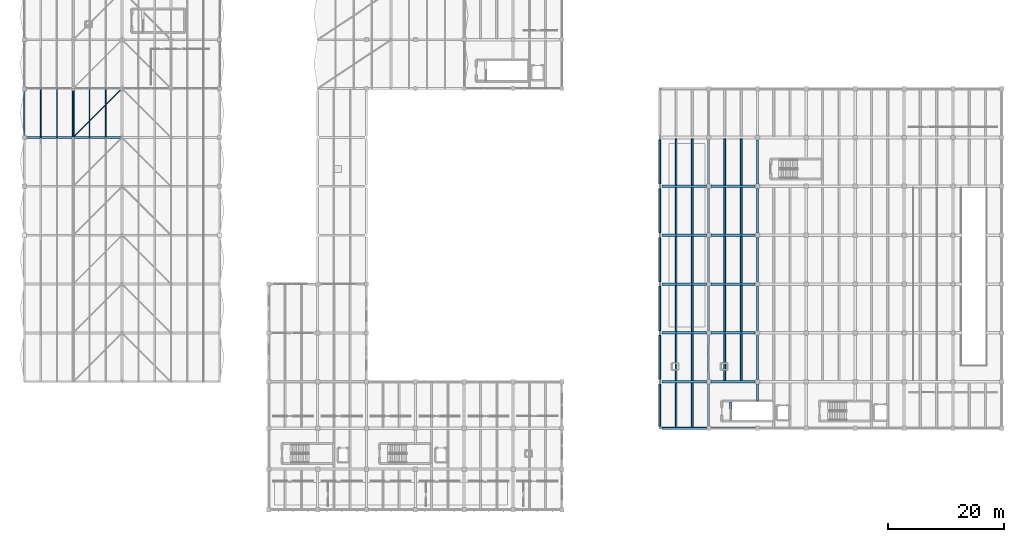
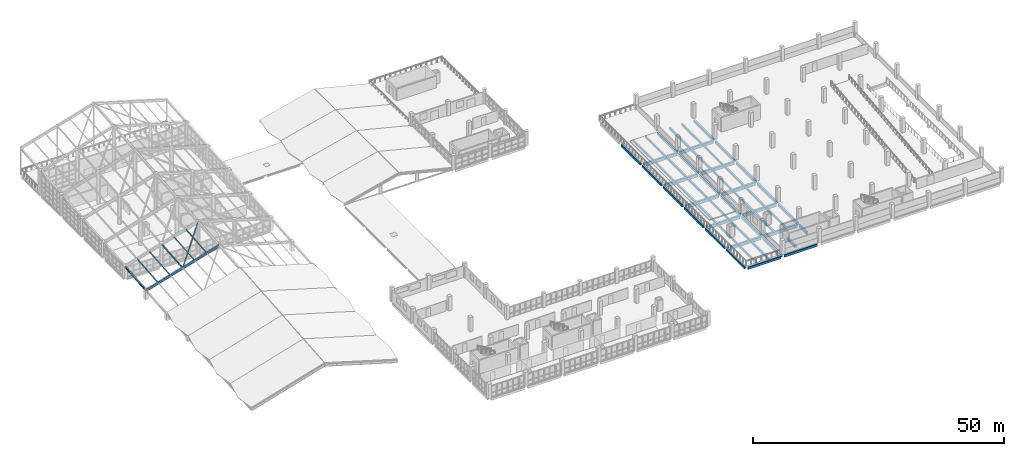
# One storey, part 24 of 95: 53 beams, 8 members.
"""IFC4 building model written with IfcOpenShell, lengths in metres."""

from ifc_helpers import new_model, si_unit, direction, frame, origin, origin_2d, place, context, subcontext, project, spatial, rectangle, hollow_circle, i_section, extrude, material, material_profile, profile_set, type_object, element, save


model = new_model("IFC4")

# Units and contexts
model_context = context("Model", 3, precision=1e-05, world=origin(), true_north=direction((0.0, 1.0)))
body_context = subcontext(model_context, "Body", "Model", "MODEL_VIEW")
ifc_project = project(units=[si_unit("LENGTHUNIT", "METRE"), si_unit("AREAUNIT", "SQUARE_METRE"), si_unit("VOLUMEUNIT", "CUBIC_METRE"), si_unit("PLANEANGLEUNIT", "RADIAN"), si_unit("MASSUNIT", "GRAM", prefix="KILO"), si_unit("THERMODYNAMICTEMPERATUREUNIT", "KELVIN"), si_unit("POWERUNIT", "WATT")], contexts=[model_context])

# Site, building, storey
site_placement = place(None, origin())
site = spatial("IfcSite", under=ifc_project, at=site_placement, CompositionType="ELEMENT")
building_placement = place(site_placement, origin())
building = spatial("IfcBuilding", under=site, at=building_placement, Name="Mavoryth Pier Ferry Terminal", CompositionType="ELEMENT")
storey_placement = place(building_placement, frame((0.0, 0.0, 9.60009765625)))
storey = spatial("IfcBuildingStorey", under=building, at=storey_placement, Name="L02", CompositionType="ELEMENT", Elevation=9.60009765625)

# Members
ifc_material_1 = material(Name="Steel S355J2", Category="steel")
ifc_material_profile_1 = material_profile(ifc_material_1, hollow_circle(Radius=0.084228515625, WallThickness=0.008056640625, at=origin_2d()), Name="CHS 168.3x8.0", Category="steel")
ifc_profile_set_1 = profile_set([ifc_material_profile_1], Name="Steel S355J2 - CHS 168.3x8.0")
member_type_1 = type_object("IfcMemberType", Name="Brace-Roof-CHS168", PredefinedType="BRACE", material=ifc_profile_set_1)
member_1_placement = place(storey_placement, frame((8.39990234375, 64.0, 4.51318359375), z_axis=(0.682888799179, 0.682868951799, 0.259524339177), x_axis=(-0.707096505339, 0.707117056885, 0.0)))
element("IfcMember", 1, at=member_1_placement, inside=storey, type_object=member_type_1, Name="Steel Member MB-L02-0113", PredefinedType="BRACE", context=body_context, shape_type="SweptSolid", body=[
    extrude(hollow_circle(Radius=0.084228515625, WallThickness=0.008056640625, at=origin_2d()), origin(), (0.0, 0.0, 1.0), 12.30078125),
])
ifc_material_profile_2 = material_profile(ifc_material_1, i_section(OverallWidth=0.300048828125, OverallDepth=0.449951171875, WebThickness=0.013916015625, FlangeThickness=0.02587890625, FilletRadius=0.027099609375, at=origin_2d()), Name="HEB 450", Category="steel")
ifc_profile_set_2 = profile_set([ifc_material_profile_2], Name="Steel S355J2 - HEB 450")
member_type_2 = type_object("IfcMemberType", Name="Chord-Eave-HEB450", PredefinedType="CHORD", material=ifc_profile_set_2)
member_2_placement = place(storey_placement, frame((0.0, 64.0, 2.014892578125), z_axis=(0.0, 0.9964033157, 0.084737432475), x_axis=(-1.0, 0.0, 0.0)))
element("IfcMember", 2, at=member_2_placement, inside=storey, type_object=member_type_2, Name="Steel Member MB-L02-0100", PredefinedType="CHORD", context=body_context, shape_type="SweptSolid", body=[
    extrude(i_section(OverallWidth=0.300048828125, OverallDepth=0.449951171875, WebThickness=0.013916015625, FlangeThickness=0.02587890625, FilletRadius=0.027099609375, at=origin_2d()), origin(), (0.0, 0.0, 1.0), 8.43017578125),
])
ifc_material_profile_3 = material_profile(ifc_material_1, hollow_circle(Radius=0.177734375, WallThickness=0.01611328125, at=origin_2d()), Name="CHS 355.6x16.0", Category="steel")
ifc_profile_set_3 = profile_set([ifc_material_profile_3], Name="Steel S355J2 - CHS 355.6x16.0")
member_type_3 = type_object("IfcMemberType", Name="Chord-Valley-CHS356", PredefinedType="CHORD", material=ifc_profile_set_3)
member_3_placement = place(storey_placement, frame((8.39990234375, 64.0, 4.51318359375), z_axis=(0.0, 0.9964033157, 0.084737432475), x_axis=(-1.0, 0.0, 0.0)))
element("IfcMember", 3, at=member_3_placement, inside=storey, type_object=member_type_3, Name="Steel Member MB-L02-0103", PredefinedType="CHORD", context=body_context, shape_type="SweptSolid", body=[
    extrude(hollow_circle(Radius=0.177734375, WallThickness=0.01611328125, at=origin_2d()), origin(), (0.0, 0.0, 1.0), 8.43017578125),
])

# Beams
ifc_material_2 = material(Name="Concrete C35/45", Category="concrete")
ifc_material_profile_4 = material_profile(ifc_material_2, rectangle(XDim=0.39990234375, YDim=0.64990234375, at=origin_2d()), Name="RC 400x650", Category="concrete")
ifc_profile_set_4 = profile_set([ifc_material_profile_4], Name="Concrete C35/45 - RC 400x650")
beam_type_1 = type_object("IfcBeamType", Name="Girder-RC-400x650", PredefinedType="BEAM", material=ifc_profile_set_4)
beam_1_placement = place(storey_placement, frame((121.419921875, 15.39990234375, -0.3251953125), z_axis=(0.0, 1.0, 0.0), x_axis=(-1.0, 0.0, 0.0)))
element("IfcBeam", 4, at=beam_1_placement, inside=storey, type_object=beam_type_1, Name="Beam B02-BG05-1577", PredefinedType="BEAM", context=body_context, shape_type="SweptSolid", body=[
    extrude(rectangle(XDim=0.39990234375, YDim=0.64990234375, at=origin_2d()), origin(), (0.0, 0.0, 1.0), 3.150146484375),
])
ifc_material_profile_5 = material_profile(ifc_material_2, rectangle(XDim=0.39990234375, YDim=0.699951171875, at=origin_2d()), Name="RC 400x700", Category="concrete")
ifc_profile_set_5 = profile_set([ifc_material_profile_5], Name="Concrete C35/45 - RC 400x700")
beam_type_2 = type_object("IfcBeamType", Name="Girder-RC-400x700", PredefinedType="BEAM", material=ifc_profile_set_5)
beam_2_placement = place(storey_placement, frame((117.60009765625, 14.39990234375, -0.710205078125), z_axis=(0.0, 1.0, 0.0), x_axis=(-1.0, 0.0, 0.0)))
element("IfcBeam", 5, at=beam_2_placement, inside=storey, type_object=beam_type_2, Name="Beam B02-BG04-0818", PredefinedType="BEAM", context=body_context, shape_type="SweptSolid", body=[
    extrude(rectangle(XDim=0.39990234375, YDim=0.699951171875, at=origin_2d()), origin(), (0.0, 0.0, 1.0), 7.2001953125),
])
beam_3_placement = place(storey_placement, frame((117.60009765625, 22.39990234375, -0.710205078125), z_axis=(0.0, 1.0, 0.0), x_axis=(-1.0, 0.0, 0.0)))
element("IfcBeam", 6, at=beam_3_placement, inside=storey, type_object=beam_type_2, Name="Beam B02-BG04-0819", PredefinedType="BEAM", context=body_context, shape_type="SweptSolid", body=[
    extrude(rectangle(XDim=0.39990234375, YDim=0.699951171875, at=origin_2d()), origin(), (0.0, 0.0, 1.0), 7.60009765625),
])
beam_4_placement = place(storey_placement, frame((117.60009765625, 30.800048828125, -0.710205078125), z_axis=(0.0, 1.0, 0.0), x_axis=(-1.0, 0.0, 0.0)))
element("IfcBeam", 7, at=beam_4_placement, inside=storey, type_object=beam_type_2, Name="Beam B02-BG04-0820", PredefinedType="BEAM", context=body_context, shape_type="SweptSolid", body=[
    extrude(rectangle(XDim=0.39990234375, YDim=0.699951171875, at=origin_2d()), origin(), (0.0, 0.0, 1.0), 7.599853515625),
])
beam_5_placement = place(storey_placement, frame((117.60009765625, 39.199951171875, -0.710205078125), z_axis=(0.0, 1.0, 0.0), x_axis=(-1.0, 0.0, 0.0)))
element("IfcBeam", 8, at=beam_5_placement, inside=storey, type_object=beam_type_2, Name="Beam B02-BG04-0821", PredefinedType="BEAM", context=body_context, shape_type="SweptSolid", body=[
    extrude(rectangle(XDim=0.39990234375, YDim=0.699951171875, at=origin_2d()), origin(), (0.0, 0.0, 1.0), 7.60009765625),
])
beam_6_placement = place(storey_placement, frame((117.60009765625, 47.60009765625, -0.710205078125), z_axis=(0.0, 1.0, 0.0), x_axis=(-1.0, 0.0, 0.0)))
element("IfcBeam", 9, at=beam_6_placement, inside=storey, type_object=beam_type_2, Name="Beam B02-BG04-0822", PredefinedType="BEAM", context=body_context, shape_type="SweptSolid", body=[
    extrude(rectangle(XDim=0.39990234375, YDim=0.699951171875, at=origin_2d()), origin(), (0.0, 0.0, 1.0), 7.599853515625),
])
beam_7_placement = place(storey_placement, frame((117.60009765625, 56.0, -0.710205078125), z_axis=(0.0, 1.0, 0.0), x_axis=(-1.0, 0.0, 0.0)))
element("IfcBeam", 10, at=beam_7_placement, inside=storey, type_object=beam_type_2, Name="Beam B02-BG04-0823", PredefinedType="BEAM", context=body_context, shape_type="SweptSolid", body=[
    extrude(rectangle(XDim=0.39990234375, YDim=0.699951171875, at=origin_2d()), origin(), (0.0, 0.0, 1.0), 7.60009765625),
])
beam_8_placement = place(storey_placement, frame((126.0, 18.679931640625, -0.650146484375), z_axis=(0.0, 1.0, 0.0), x_axis=(-1.0, 0.0, 0.0)))
element("IfcBeam", 11, at=beam_8_placement, inside=storey, type_object=beam_type_2, Name="Beam B02-BG04-0825", PredefinedType="BEAM", context=body_context, shape_type="SweptSolid", body=[
    extrude(rectangle(XDim=0.39990234375, YDim=0.699951171875, at=origin_2d()), origin(), (0.0, 0.0, 1.0), 2.920166015625),
])
beam_9_placement = place(storey_placement, frame((126.0, 22.39990234375, -0.650146484375), z_axis=(0.0, 1.0, 0.0), x_axis=(-1.0, 0.0, 0.0)))
element("IfcBeam", 12, at=beam_9_placement, inside=storey, type_object=beam_type_2, Name="Beam B02-BG04-0826", PredefinedType="BEAM", context=body_context, shape_type="SweptSolid", body=[
    extrude(rectangle(XDim=0.39990234375, YDim=0.699951171875, at=origin_2d()), origin(), (0.0, 0.0, 1.0), 7.60009765625),
])
beam_10_placement = place(storey_placement, frame((126.0, 30.800048828125, -0.650146484375), z_axis=(0.0, 1.0, 0.0), x_axis=(-1.0, 0.0, 0.0)))
element("IfcBeam", 13, at=beam_10_placement, inside=storey, type_object=beam_type_2, Name="Beam B02-BG04-0827", PredefinedType="BEAM", context=body_context, shape_type="SweptSolid", body=[
    extrude(rectangle(XDim=0.39990234375, YDim=0.699951171875, at=origin_2d()), origin(), (0.0, 0.0, 1.0), 7.599853515625),
])
beam_11_placement = place(storey_placement, frame((126.0, 39.199951171875, -0.650146484375), z_axis=(0.0, 1.0, 0.0), x_axis=(-1.0, 0.0, 0.0)))
element("IfcBeam", 14, at=beam_11_placement, inside=storey, type_object=beam_type_2, Name="Beam B02-BG04-0828", PredefinedType="BEAM", context=body_context, shape_type="SweptSolid", body=[
    extrude(rectangle(XDim=0.39990234375, YDim=0.699951171875, at=origin_2d()), origin(), (0.0, 0.0, 1.0), 7.60009765625),
])
beam_12_placement = place(storey_placement, frame((126.0, 47.60009765625, -0.650146484375), z_axis=(0.0, 1.0, 0.0), x_axis=(-1.0, 0.0, 0.0)))
element("IfcBeam", 15, at=beam_12_placement, inside=storey, type_object=beam_type_2, Name="Beam B02-BG04-0829", PredefinedType="BEAM", context=body_context, shape_type="SweptSolid", body=[
    extrude(rectangle(XDim=0.39990234375, YDim=0.699951171875, at=origin_2d()), origin(), (0.0, 0.0, 1.0), 7.599853515625),
])
beam_13_placement = place(storey_placement, frame((126.0, 56.0, -0.650146484375), z_axis=(0.0, 1.0, 0.0), x_axis=(-1.0, 0.0, 0.0)))
element("IfcBeam", 16, at=beam_13_placement, inside=storey, type_object=beam_type_2, Name="Beam B02-BG04-0830", PredefinedType="BEAM", context=body_context, shape_type="SweptSolid", body=[
    extrude(rectangle(XDim=0.39990234375, YDim=0.699951171875, at=origin_2d()), origin(), (0.0, 0.0, 1.0), 7.60009765625),
])
ifc_material_profile_6 = material_profile(ifc_material_2, rectangle(XDim=0.449951171875, YDim=0.75, at=origin_2d()), Name="RC 450x750", Category="concrete")
ifc_profile_set_6 = profile_set([ifc_material_profile_6], Name="Concrete C35/45 - RC 450x750")
beam_type_3 = type_object("IfcBeamType", Name="Girder-RC-450x750", PredefinedType="BEAM", material=ifc_profile_set_6)
beam_14_placement = place(storey_placement, frame((109.60009765625, 22.0, -0.735107421875), z_axis=(1.0, 0.0, 0.0), x_axis=(0.0, 1.0, 0.0)))
element("IfcBeam", 17, at=beam_14_placement, inside=storey, type_object=beam_type_3, Name="Beam B02-BG02-0759", PredefinedType="BEAM", context=body_context, shape_type="SweptSolid", body=[
    extrude(rectangle(XDim=0.449951171875, YDim=0.75, at=origin_2d()), origin(), (0.0, 0.0, 1.0), 7.599853515625),
])
beam_15_placement = place(storey_placement, frame((118.0, 22.0, -0.675048828125), z_axis=(1.0, 0.0, 0.0), x_axis=(0.0, 1.0, 0.0)))
element("IfcBeam", 18, at=beam_15_placement, inside=storey, type_object=beam_type_3, Name="Beam B02-BG02-0760", PredefinedType="BEAM", context=body_context, shape_type="SweptSolid", body=[
    extrude(rectangle(XDim=0.449951171875, YDim=0.75, at=origin_2d()), origin(), (0.0, 0.0, 1.0), 7.60009765625),
])
beam_16_placement = place(storey_placement, frame((109.60009765625, 30.39990234375, -0.735107421875), z_axis=(1.0, 0.0, 0.0), x_axis=(0.0, 1.0, 0.0)))
element("IfcBeam", 19, at=beam_16_placement, inside=storey, type_object=beam_type_3, Name="Beam B02-BG02-0766", PredefinedType="BEAM", context=body_context, shape_type="SweptSolid", body=[
    extrude(rectangle(XDim=0.449951171875, YDim=0.75, at=origin_2d()), origin(), (0.0, 0.0, 1.0), 7.599853515625),
])
beam_17_placement = place(storey_placement, frame((118.0, 30.39990234375, -0.675048828125), z_axis=(1.0, 0.0, 0.0), x_axis=(0.0, 1.0, 0.0)))
element("IfcBeam", 20, at=beam_17_placement, inside=storey, type_object=beam_type_3, Name="Beam B02-BG02-0767", PredefinedType="BEAM", context=body_context, shape_type="SweptSolid", body=[
    extrude(rectangle(XDim=0.449951171875, YDim=0.75, at=origin_2d()), origin(), (0.0, 0.0, 1.0), 7.60009765625),
])
beam_18_placement = place(storey_placement, frame((109.60009765625, 38.800048828125, -0.735107421875), z_axis=(1.0, 0.0, 0.0), x_axis=(0.0, 1.0, 0.0)))
element("IfcBeam", 21, at=beam_18_placement, inside=storey, type_object=beam_type_3, Name="Beam B02-BG02-0774", PredefinedType="BEAM", context=body_context, shape_type="SweptSolid", body=[
    extrude(rectangle(XDim=0.449951171875, YDim=0.75, at=origin_2d()), origin(), (0.0, 0.0, 1.0), 7.599853515625),
])
beam_19_placement = place(storey_placement, frame((118.0, 38.800048828125, -0.675048828125), z_axis=(1.0, 0.0, 0.0), x_axis=(0.0, 1.0, 0.0)))
element("IfcBeam", 22, at=beam_19_placement, inside=storey, type_object=beam_type_3, Name="Beam B02-BG02-0775", PredefinedType="BEAM", context=body_context, shape_type="SweptSolid", body=[
    extrude(rectangle(XDim=0.449951171875, YDim=0.75, at=origin_2d()), origin(), (0.0, 0.0, 1.0), 7.60009765625),
])
beam_20_placement = place(storey_placement, frame((109.60009765625, 47.199951171875, -0.735107421875), z_axis=(1.0, 0.0, 0.0), x_axis=(0.0, 1.0, 0.0)))
element("IfcBeam", 23, at=beam_20_placement, inside=storey, type_object=beam_type_3, Name="Beam B02-BG02-0782", PredefinedType="BEAM", context=body_context, shape_type="SweptSolid", body=[
    extrude(rectangle(XDim=0.449951171875, YDim=0.75, at=origin_2d()), origin(), (0.0, 0.0, 1.0), 7.599853515625),
])
beam_21_placement = place(storey_placement, frame((118.0, 47.199951171875, -0.675048828125), z_axis=(1.0, 0.0, 0.0), x_axis=(0.0, 1.0, 0.0)))
element("IfcBeam", 24, at=beam_21_placement, inside=storey, type_object=beam_type_3, Name="Beam B02-BG02-0783", PredefinedType="BEAM", context=body_context, shape_type="SweptSolid", body=[
    extrude(rectangle(XDim=0.449951171875, YDim=0.75, at=origin_2d()), origin(), (0.0, 0.0, 1.0), 7.60009765625),
])
beam_22_placement = place(storey_placement, frame((109.60009765625, 55.60009765625, -0.735107421875), z_axis=(1.0, 0.0, 0.0), x_axis=(0.0, 1.0, 0.0)))
element("IfcBeam", 25, at=beam_22_placement, inside=storey, type_object=beam_type_3, Name="Beam B02-BG02-0790", PredefinedType="BEAM", context=body_context, shape_type="SweptSolid", body=[
    extrude(rectangle(XDim=0.449951171875, YDim=0.75, at=origin_2d()), origin(), (0.0, 0.0, 1.0), 7.599853515625),
])
beam_23_placement = place(storey_placement, frame((118.0, 55.60009765625, -0.675048828125), z_axis=(1.0, 0.0, 0.0), x_axis=(0.0, 1.0, 0.0)))
element("IfcBeam", 26, at=beam_23_placement, inside=storey, type_object=beam_type_3, Name="Beam B02-BG02-0791", PredefinedType="BEAM", context=body_context, shape_type="SweptSolid", body=[
    extrude(rectangle(XDim=0.449951171875, YDim=0.75, at=origin_2d()), origin(), (0.0, 0.0, 1.0), 7.60009765625),
])
ifc_material_profile_7 = material_profile(ifc_material_2, rectangle(XDim=0.300048828125, YDim=0.5, at=origin_2d()), Name="RC 300x500", Category="concrete")
ifc_profile_set_7 = profile_set([ifc_material_profile_7], Name="Concrete C35/45 - RC 300x500")
beam_type_4 = type_object("IfcBeamType", Name="Joist-RC-300x500", PredefinedType="JOIST", material=ifc_profile_set_7)
for number, where, z_axis, x_axis, name in (
    (27, (112.0, 14.159912109375, -0.610107421875), (0.0, 1.0, 0.0), (-1.0, 0.0, 0.0), "Beam B02-BJ01-0867"),
    (28, (114.800048828125, 14.159912109375, -0.610107421875), (0.0, 1.0, 0.0), (-1.0, 0.0, 0.0), "Beam B02-BJ01-0868"),
):
    element("IfcBeam", number, at=place(storey_placement, frame(where, z_axis=z_axis, x_axis=x_axis)), inside=storey, type_object=beam_type_4, Name=name, PredefinedType="JOIST", context=body_context, shape_type="SweptSolid", body=[
        extrude(rectangle(XDim=0.300048828125, YDim=0.5, at=origin_2d()), origin(), (0.0, 0.0, 1.0), 7.614990234375),
    ])
for number, where, z_axis, x_axis, name in (
    (29, (112.0, 22.22509765625, -0.610107421875), (0.0, 1.0, 0.0), (-1.0, 0.0, 0.0), "Beam B02-BJ01-0869"),
    (30, (114.800048828125, 22.22509765625, -0.610107421875), (0.0, 1.0, 0.0), (-1.0, 0.0, 0.0), "Beam B02-BJ01-0870"),
    (31, (112.0, 30.625, -0.610107421875), (0.0, 1.0, 0.0), (-1.0, 0.0, 0.0), "Beam B02-BJ01-0871"),
    (32, (114.800048828125, 30.625, -0.610107421875), (0.0, 1.0, 0.0), (-1.0, 0.0, 0.0), "Beam B02-BJ01-0872"),
):
    element("IfcBeam", number, at=place(storey_placement, frame(where, z_axis=z_axis, x_axis=x_axis)), inside=storey, type_object=beam_type_4, Name=name, PredefinedType="JOIST", context=body_context, shape_type="SweptSolid", body=[
        extrude(rectangle(XDim=0.300048828125, YDim=0.5, at=origin_2d()), origin(), (0.0, 0.0, 1.0), 7.949951171875),
    ])
for number, where, z_axis, x_axis, name in (
    (33, (112.0, 39.02490234375, -0.610107421875), (0.0, 1.0, 0.0), (-1.0, 0.0, 0.0), "Beam B02-BJ01-0873"),
    (34, (114.800048828125, 39.02490234375, -0.610107421875), (0.0, 1.0, 0.0), (-1.0, 0.0, 0.0), "Beam B02-BJ01-0874"),
):
    element("IfcBeam", number, at=place(storey_placement, frame(where, z_axis=z_axis, x_axis=x_axis)), inside=storey, type_object=beam_type_4, Name=name, PredefinedType="JOIST", context=body_context, shape_type="SweptSolid", body=[
        extrude(rectangle(XDim=0.300048828125, YDim=0.5, at=origin_2d()), origin(), (0.0, 0.0, 1.0), 7.9501953125),
    ])
for number, where, z_axis, x_axis, name in (
    (35, (112.0, 47.425048828125, -0.610107421875), (0.0, 1.0, 0.0), (-1.0, 0.0, 0.0), "Beam B02-BJ01-0875"),
    (36, (114.800048828125, 47.425048828125, -0.610107421875), (0.0, 1.0, 0.0), (-1.0, 0.0, 0.0), "Beam B02-BJ01-0876"),
    (37, (112.0, 55.824951171875, -0.610107421875), (0.0, 1.0, 0.0), (-1.0, 0.0, 0.0), "Beam B02-BJ01-0877"),
    (38, (114.800048828125, 55.824951171875, -0.610107421875), (0.0, 1.0, 0.0), (-1.0, 0.0, 0.0), "Beam B02-BJ01-0878"),
    (39, (120.39990234375, 22.22509765625, -0.550048828125), (0.0, 1.0, 0.0), (-1.0, 0.0, 0.0), "Beam B02-BJ01-0881"),
    (40, (123.199951171875, 22.22509765625, -0.550048828125), (0.0, 1.0, 0.0), (-1.0, 0.0, 0.0), "Beam B02-BJ01-0882"),
    (41, (120.39990234375, 30.625, -0.550048828125), (0.0, 1.0, 0.0), (-1.0, 0.0, 0.0), "Beam B02-BJ01-0883"),
    (42, (123.199951171875, 30.625, -0.550048828125), (0.0, 1.0, 0.0), (-1.0, 0.0, 0.0), "Beam B02-BJ01-0884"),
):
    element("IfcBeam", number, at=place(storey_placement, frame(where, z_axis=z_axis, x_axis=x_axis)), inside=storey, type_object=beam_type_4, Name=name, PredefinedType="JOIST", context=body_context, shape_type="SweptSolid", body=[
        extrude(rectangle(XDim=0.300048828125, YDim=0.5, at=origin_2d()), origin(), (0.0, 0.0, 1.0), 7.949951171875),
    ])
for number, where, z_axis, x_axis, name in (
    (43, (120.39990234375, 39.02490234375, -0.550048828125), (0.0, 1.0, 0.0), (-1.0, 0.0, 0.0), "Beam B02-BJ01-0885"),
    (44, (123.199951171875, 39.02490234375, -0.550048828125), (0.0, 1.0, 0.0), (-1.0, 0.0, 0.0), "Beam B02-BJ01-0886"),
):
    element("IfcBeam", number, at=place(storey_placement, frame(where, z_axis=z_axis, x_axis=x_axis)), inside=storey, type_object=beam_type_4, Name=name, PredefinedType="JOIST", context=body_context, shape_type="SweptSolid", body=[
        extrude(rectangle(XDim=0.300048828125, YDim=0.5, at=origin_2d()), origin(), (0.0, 0.0, 1.0), 7.9501953125),
    ])
for number, where, z_axis, x_axis, name in (
    (45, (120.39990234375, 47.425048828125, -0.550048828125), (0.0, 1.0, 0.0), (-1.0, 0.0, 0.0), "Beam B02-BJ01-0887"),
    (46, (123.199951171875, 47.425048828125, -0.550048828125), (0.0, 1.0, 0.0), (-1.0, 0.0, 0.0), "Beam B02-BJ01-0888"),
    (47, (120.39990234375, 55.824951171875, -0.550048828125), (0.0, 1.0, 0.0), (-1.0, 0.0, 0.0), "Beam B02-BJ01-0889"),
    (48, (123.199951171875, 55.824951171875, -0.550048828125), (0.0, 1.0, 0.0), (-1.0, 0.0, 0.0), "Beam B02-BJ01-0890"),
):
    element("IfcBeam", number, at=place(storey_placement, frame(where, z_axis=z_axis, x_axis=x_axis)), inside=storey, type_object=beam_type_4, Name=name, PredefinedType="JOIST", context=body_context, shape_type="SweptSolid", body=[
        extrude(rectangle(XDim=0.300048828125, YDim=0.5, at=origin_2d()), origin(), (0.0, 0.0, 1.0), 7.949951171875),
    ])

# Members
ifc_material_profile_8 = material_profile(ifc_material_1, i_section(OverallWidth=0.110107421875, OverallDepth=0.219970703125, WebThickness=0.005859375, FlangeThickness=0.00927734375, FilletRadius=0.011962890625, at=origin_2d()), Name="IPE 220", Category="steel")
ifc_profile_set_8 = profile_set([ifc_material_profile_8], Name="Steel S355J2 - IPE 220")
member_type_4 = type_object("IfcMemberType", Name="Purlin-Roof-IPE220", PredefinedType="PURLIN", material=ifc_profile_set_8)
member_4_placement = place(storey_placement, frame((14.0, 64.0, 6.15869140625), z_axis=(0.0, 0.9964033157, 0.084737432475), x_axis=(-1.0, 0.0, 0.0)))
element("IfcMember", 49, at=member_4_placement, inside=storey, type_object=member_type_4, Name="Steel Member MB-L02-0108", PredefinedType="PURLIN", context=body_context, shape_type="SweptSolid", body=[
    extrude(i_section(OverallWidth=0.110107421875, OverallDepth=0.219970703125, WebThickness=0.005859375, FlangeThickness=0.00927734375, FilletRadius=0.011962890625, at=origin_2d()), origin(), (0.0, 0.0, 1.0), 8.43017578125),
])
ifc_material_profile_9 = material_profile(ifc_material_1, i_section(OverallWidth=0.1201171875, OverallDepth=0.239990234375, WebThickness=0.006103515625, FlangeThickness=0.009765625, FilletRadius=0.014892578125, at=origin_2d()), Name="IPE 240", Category="steel")
ifc_profile_set_9 = profile_set([ifc_material_profile_9], Name="Steel S355J2 - IPE 240")
member_type_5 = type_object("IfcMemberType", Name="Purlin-Roof-IPE240", PredefinedType="PURLIN", material=ifc_profile_set_9)
member_5_placement = place(storey_placement, frame((11.199951171875, 64.0, 5.325927734375), z_axis=(0.0, 0.9964033157, 0.084737432475), x_axis=(-1.0, 0.0, 0.0)))
element("IfcMember", 50, at=member_5_placement, inside=storey, type_object=member_type_5, Name="Steel Member MB-L02-0107", PredefinedType="PURLIN", context=body_context, shape_type="SweptSolid", body=[
    extrude(i_section(OverallWidth=0.1201171875, OverallDepth=0.239990234375, WebThickness=0.006103515625, FlangeThickness=0.009765625, FilletRadius=0.014892578125, at=origin_2d()), origin(), (0.0, 0.0, 1.0), 8.43017578125),
])
ifc_material_profile_10 = material_profile(ifc_material_1, i_section(OverallWidth=0.135009765625, OverallDepth=0.27001953125, WebThickness=0.006591796875, FlangeThickness=0.01025390625, FilletRadius=0.014892578125, at=origin_2d()), Name="IPE 270", Category="steel")
ifc_profile_set_10 = profile_set([ifc_material_profile_10], Name="Steel S355J2 - IPE 270")
member_type_6 = type_object("IfcMemberType", Name="Purlin-Roof-IPE270", PredefinedType="PURLIN", material=ifc_profile_set_10)
member_6_placement = place(storey_placement, frame((5.60009765625, 64.0, 3.660400390625), z_axis=(0.0, 0.9964033157, 0.084737432475), x_axis=(-1.0, 0.0, 0.0)))
element("IfcMember", 51, at=member_6_placement, inside=storey, type_object=member_type_6, Name="Steel Member MB-L02-0106", PredefinedType="PURLIN", context=body_context, shape_type="SweptSolid", body=[
    extrude(i_section(OverallWidth=0.135009765625, OverallDepth=0.27001953125, WebThickness=0.006591796875, FlangeThickness=0.01025390625, FilletRadius=0.014892578125, at=origin_2d()), origin(), (0.0, 0.0, 1.0), 8.43017578125),
])
ifc_material_profile_11 = material_profile(ifc_material_1, i_section(OverallWidth=0.14990234375, OverallDepth=0.300048828125, WebThickness=0.007080078125, FlangeThickness=0.0107421875, FilletRadius=0.014892578125, at=origin_2d()), Name="IPE 300", Category="steel")
ifc_profile_set_11 = profile_set([ifc_material_profile_11], Name="Steel S355J2 - IPE 300")
member_type_7 = type_object("IfcMemberType", Name="Purlin-Roof-IPE300", PredefinedType="PURLIN", material=ifc_profile_set_11)
member_7_placement = place(storey_placement, frame((2.800048828125, 64.0, 2.82763671875), z_axis=(0.0, 0.9964033157, 0.084737432475), x_axis=(-1.0, 0.0, 0.0)))
element("IfcMember", 52, at=member_7_placement, inside=storey, type_object=member_type_7, Name="Steel Member MB-L02-0105", PredefinedType="PURLIN", context=body_context, shape_type="SweptSolid", body=[
    extrude(i_section(OverallWidth=0.14990234375, OverallDepth=0.300048828125, WebThickness=0.007080078125, FlangeThickness=0.0107421875, FilletRadius=0.014892578125, at=origin_2d()), origin(), (0.0, 0.0, 1.0), 8.43017578125),
])
ifc_material_profile_12 = material_profile(ifc_material_1, i_section(OverallWidth=0.300048828125, OverallDepth=0.550048828125, WebThickness=0.014892578125, FlangeThickness=0.029052734375, FilletRadius=0.027099609375, at=origin_2d()), Name="HEB 550", Category="steel")
ifc_profile_set_12 = profile_set([ifc_material_profile_12], Name="Steel S355J2 - HEB 550")
member_type_8 = type_object("IfcMemberType", Name="Rafter-Folded-HEB550", PredefinedType="RAFTER", material=ifc_profile_set_12)
member_8_placement = place(storey_placement, frame((0.0, 64.0, 2.014892578125), z_axis=(0.958821022036, 0.0, 0.284010999261), x_axis=(0.0, 1.0, 0.0)))
element("IfcMember", 53, at=member_8_placement, inside=storey, type_object=member_type_8, Name="Steel Member MB-L02-0011", PredefinedType="RAFTER", context=body_context, shape_type="SweptSolid", body=[
    extrude(i_section(OverallWidth=0.300048828125, OverallDepth=0.550048828125, WebThickness=0.014892578125, FlangeThickness=0.029052734375, FilletRadius=0.027099609375, at=origin_2d()), origin(), (0.0, 0.0, 1.0), 17.521484375),
])

# Beams
ifc_material_profile_13 = material_profile(ifc_material_2, rectangle(XDim=0.320068359375, YDim=0.56005859375, at=origin_2d()), Name="RC 320x560", Category="concrete")
ifc_profile_set_13 = profile_set([ifc_material_profile_13], Name="Concrete C35/45 - RC 320x560")
beam_type_5 = type_object("IfcBeamType", Name="Spandrel-RC-320x560", PredefinedType="SPANDREL", material=ifc_profile_set_13)
beam_24_placement = place(storey_placement, frame((109.60009765625, 14.0, -0.64013671875), z_axis=(1.0, 0.0, 0.0), x_axis=(0.0, 1.0, 0.0)))
element("IfcBeam", 54, at=beam_24_placement, inside=storey, type_object=beam_type_5, Name="Beam B02-SP01-0752", PredefinedType="SPANDREL", context=body_context, shape_type="SweptSolid", body=[
    extrude(rectangle(XDim=0.320068359375, YDim=0.56005859375, at=origin_2d()), origin(), (0.0, 0.0, 1.0), 7.599853515625),
])
beam_25_placement = place(storey_placement, frame((118.0, 14.0, -0.580078125), z_axis=(1.0, 0.0, 0.0), x_axis=(0.0, 1.0, 0.0)))
element("IfcBeam", 55, at=beam_25_placement, inside=storey, type_object=beam_type_5, Name="Beam B02-SP01-0753", PredefinedType="SPANDREL", context=body_context, shape_type="SweptSolid", body=[
    extrude(rectangle(XDim=0.320068359375, YDim=0.56005859375, at=origin_2d()), origin(), (0.0, 0.0, 1.0), 7.60009765625),
])
beam_26_placement = place(storey_placement, frame((109.199951171875, 14.39990234375, -0.64013671875), z_axis=(0.0, 1.0, 0.0), x_axis=(-1.0, 0.0, 0.0)))
element("IfcBeam", 56, at=beam_26_placement, inside=storey, type_object=beam_type_5, Name="Beam B02-SP01-0811", PredefinedType="SPANDREL", context=body_context, shape_type="SweptSolid", body=[
    extrude(rectangle(XDim=0.320068359375, YDim=0.56005859375, at=origin_2d()), origin(), (0.0, 0.0, 1.0), 7.2001953125),
])
beam_27_placement = place(storey_placement, frame((109.199951171875, 22.39990234375, -0.64013671875), z_axis=(0.0, 1.0, 0.0), x_axis=(-1.0, 0.0, 0.0)))
element("IfcBeam", 57, at=beam_27_placement, inside=storey, type_object=beam_type_5, Name="Beam B02-SP01-0812", PredefinedType="SPANDREL", context=body_context, shape_type="SweptSolid", body=[
    extrude(rectangle(XDim=0.320068359375, YDim=0.56005859375, at=origin_2d()), origin(), (0.0, 0.0, 1.0), 7.60009765625),
])
beam_28_placement = place(storey_placement, frame((109.199951171875, 30.800048828125, -0.64013671875), z_axis=(0.0, 1.0, 0.0), x_axis=(-1.0, 0.0, 0.0)))
element("IfcBeam", 58, at=beam_28_placement, inside=storey, type_object=beam_type_5, Name="Beam B02-SP01-0813", PredefinedType="SPANDREL", context=body_context, shape_type="SweptSolid", body=[
    extrude(rectangle(XDim=0.320068359375, YDim=0.56005859375, at=origin_2d()), origin(), (0.0, 0.0, 1.0), 7.599853515625),
])
beam_29_placement = place(storey_placement, frame((109.199951171875, 39.199951171875, -0.64013671875), z_axis=(0.0, 1.0, 0.0), x_axis=(-1.0, 0.0, 0.0)))
element("IfcBeam", 59, at=beam_29_placement, inside=storey, type_object=beam_type_5, Name="Beam B02-SP01-0814", PredefinedType="SPANDREL", context=body_context, shape_type="SweptSolid", body=[
    extrude(rectangle(XDim=0.320068359375, YDim=0.56005859375, at=origin_2d()), origin(), (0.0, 0.0, 1.0), 7.60009765625),
])
beam_30_placement = place(storey_placement, frame((109.199951171875, 47.60009765625, -0.64013671875), z_axis=(0.0, 1.0, 0.0), x_axis=(-1.0, 0.0, 0.0)))
element("IfcBeam", 60, at=beam_30_placement, inside=storey, type_object=beam_type_5, Name="Beam B02-SP01-0815", PredefinedType="SPANDREL", context=body_context, shape_type="SweptSolid", body=[
    extrude(rectangle(XDim=0.320068359375, YDim=0.56005859375, at=origin_2d()), origin(), (0.0, 0.0, 1.0), 7.599853515625),
])
beam_31_placement = place(storey_placement, frame((109.199951171875, 56.0, -0.64013671875), z_axis=(0.0, 1.0, 0.0), x_axis=(-1.0, 0.0, 0.0)))
element("IfcBeam", 61, at=beam_31_placement, inside=storey, type_object=beam_type_5, Name="Beam B02-SP01-0816", PredefinedType="SPANDREL", context=body_context, shape_type="SweptSolid", body=[
    extrude(rectangle(XDim=0.320068359375, YDim=0.56005859375, at=origin_2d()), origin(), (0.0, 0.0, 1.0), 7.60009765625),
])

save(model, "model.ifc")
